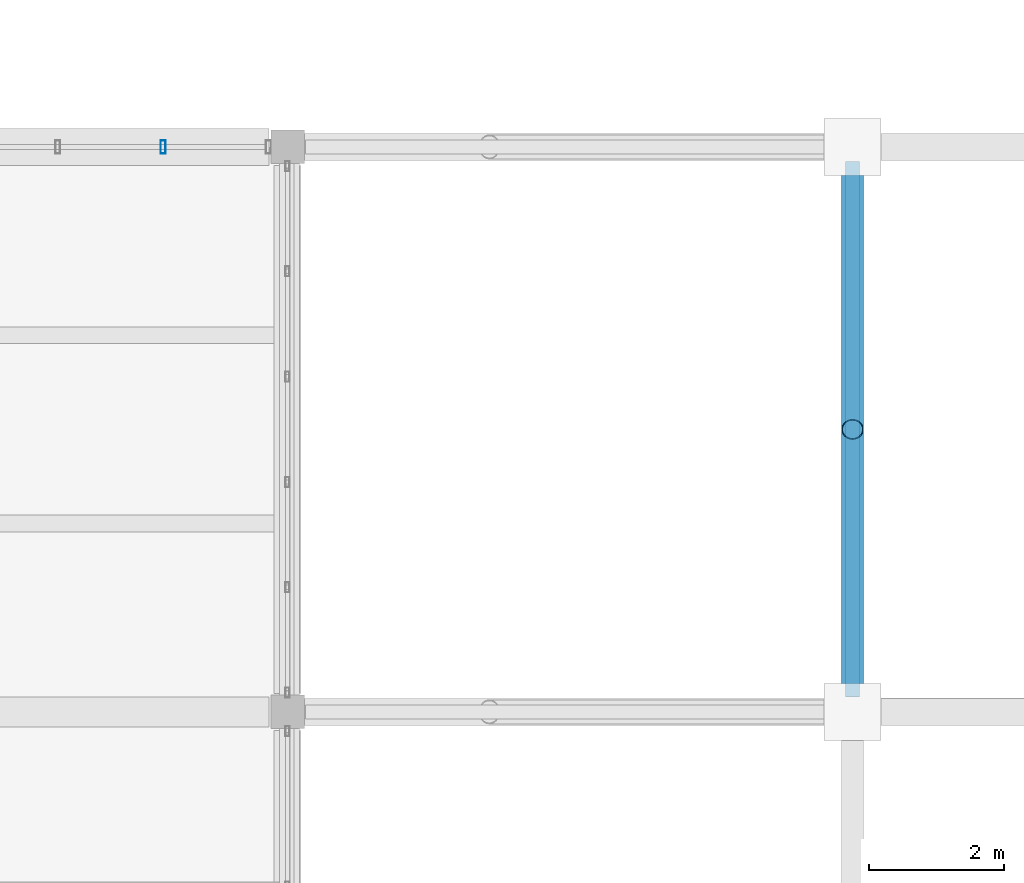
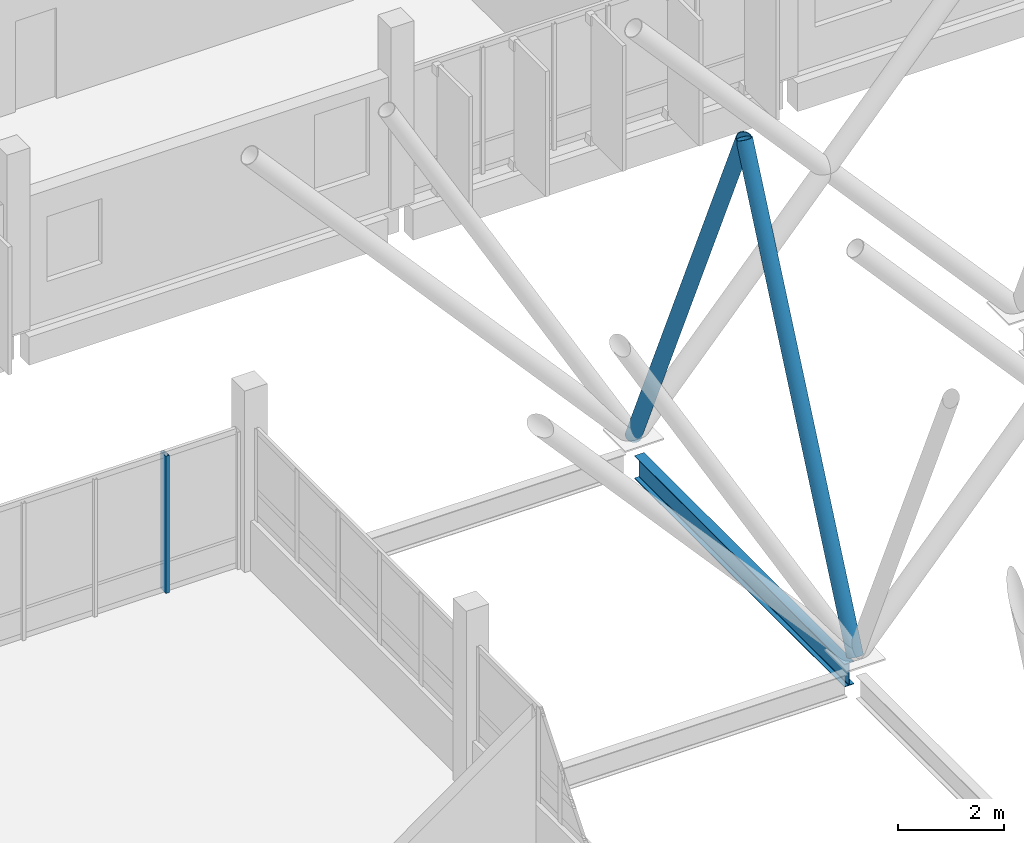
# One storey, part 43 of 107: 3 members, 1 beam, 1 element without a shape of its own.
"""IFC4 building model written with IfcOpenShell, lengths in metres."""

from ifc_helpers import new_model, si_unit, direction, frame, origin, origin_2d, place, context, subcontext, project, spatial, hollow_rectangle, hollow_circle, i_section, extrude, material, layer, layer_set, material_profile, profile_set, type_object, element, aggregate, save


model = new_model("IFC4")

# Units and contexts
model_context = context("Model", 3, precision=1e-05, world=origin(), true_north=direction((0.0, 1.0)))
body_context = subcontext(model_context, "Body", "Model", "MODEL_VIEW")
ifc_project = project(units=[si_unit("LENGTHUNIT", "METRE"), si_unit("AREAUNIT", "SQUARE_METRE"), si_unit("VOLUMEUNIT", "CUBIC_METRE"), si_unit("PLANEANGLEUNIT", "RADIAN"), si_unit("MASSUNIT", "GRAM", prefix="KILO")], contexts=[model_context])

# Site, building, storey
site_placement = place(None, origin())
site = spatial("IfcSite", under=ifc_project, at=site_placement, CompositionType="ELEMENT")
building_placement = place(site_placement, origin())
building = spatial("IfcBuilding", under=site, at=building_placement, Name="Vireocrest Preparatory School", CompositionType="ELEMENT")
storey_placement = place(building_placement, frame((0.0, 0.0, 13.199951171875)))
storey = spatial("IfcBuildingStorey", under=building, at=storey_placement, Name="L03", CompositionType="ELEMENT", Elevation=13.199951171875)

# Curtain wall, member
ifc_material_1 = material(Name="Thermally broken aluminium EN AW-6063-T6", Category="aluminium")
ifc_layer = layer(ifc_material_1, 0.179931640625)
ifc_layer_set = layer_set([ifc_layer], Name="Thermally broken aluminium EN AW-6063-T6")
curtain_wall_type = type_object("IfcCurtainWallType", Name="Library Reading Bay Glazing 7600x4200", PredefinedType="USERDEFINED", material=ifc_layer_set)
curtain_wall_placement = place(storey_placement, origin())
curtain_wall = element("IfcCurtainWall", 1, at=curtain_wall_placement, inside=storey, type_object=curtain_wall_type, Name="Curtain Wall CW16 CW_L03_CW16_0590_0858_132", ObjectType="CURTAIN WALL", PredefinedType="USERDEFINED")
ifc_material_profile_1 = material_profile(ifc_material_1, hollow_rectangle(XDim=0.074951171875, YDim=0.199951171875, WallThickness=0.0048828125, at=origin_2d()), Name="ALU 75x200x5")
ifc_profile_set_1 = profile_set([ifc_material_profile_1], Name="Thermally broken aluminium EN AW-6063-T6")
member_type_1 = type_object("IfcMemberType", Name="CW Mullion 75x200x5", PredefinedType="MULLION", material=ifc_profile_set_1)
member_1_placement = place(storey_placement, frame((65.34912109375, 85.800048828125, 0.0), z_axis=(0.0, 0.0, 1.0), x_axis=(1.0, 0.0, 0.0)))
member_1 = element("IfcMember", 2, at=member_1_placement, type_object=member_type_1, Name="CW Mullion ML3 CW_L03_CW16_0590_0858_132-5", PredefinedType="MULLION", context=body_context, shape_type="SweptSolid", body=[
    extrude(hollow_rectangle(XDim=0.074951171875, YDim=0.199951171875, WallThickness=0.0048828125, at=origin_2d()), origin(), (0.0, 0.0, 1.0), 3.175048828125),
])
aggregate(curtain_wall, [member_1])

# Beam
ifc_material_2 = material(Name="Structural steel ASTM A992 Grade 50", Category="steel")
ifc_material_profile_2 = material_profile(ifc_material_2, i_section(OverallWidth=0.208984375, OverallDepth=0.532958984375, WebThickness=0.01025390625, FlangeThickness=0.015625, FilletRadius=0.014892578125, at=origin_2d()), Name="W21X62")
ifc_profile_set_2 = profile_set([ifc_material_profile_2], Name="Structural steel ASTM A992 Grade 50")
beam_type = type_object("IfcBeamType", Name="Court Tie Girder W21X62", PredefinedType="BEAM", material=ifc_profile_set_2)
beam_placement = place(storey_placement, frame((75.60009765625, 77.6201171875, -0.56640625), z_axis=(0.0, 1.0, 0.0), x_axis=(-1.0, 0.0, 0.0)))
element("IfcBeam", 3, at=beam_placement, inside=storey, type_object=beam_type, Name="Court Trunk Spine Girder SB5 W7 L03", PredefinedType="BEAM", context=body_context, shape_type="SweptSolid", body=[
    extrude(i_section(OverallWidth=0.208984375, OverallDepth=0.532958984375, WebThickness=0.01025390625, FlangeThickness=0.015625, FilletRadius=0.014892578125, at=origin_2d()), origin(), (0.0, 0.0, 1.0), 7.9599609375),
])

# Members
ifc_material_3 = material(Name="Painted white steel ASTM A500 Grade C", Category="steel")
ifc_material_profile_3 = material_profile(ifc_material_3, hollow_circle(Radius=0.161865234375, WallThickness=0.0126953125, at=origin_2d()), Name="HSS12.750X0.500")
ifc_profile_set_3 = profile_set([ifc_material_profile_3], Name="Painted white steel ASTM A500 Grade C")
member_type_2 = type_object("IfcMemberType", Name="White Steel Canopy Tie Strut HSS12.750X0.500", PredefinedType="USERDEFINED", material=ifc_profile_set_3)
member_2_placement = place(storey_placement, frame((75.60009765625, 77.39990234375, -0.0048828125), z_axis=(0.0, 0.40723631313, 0.913322826425), x_axis=(-1.0, 0.0, 0.0)))
element("IfcMember", 4, at=member_2_placement, inside=storey, type_object=member_type_2, Name="Longitudinal V-Strut VS2 W7-N", ObjectType="STRUT", PredefinedType="USERDEFINED", context=body_context, shape_type="SweptSolid", body=[
    extrude(hollow_circle(Radius=0.161865234375, WallThickness=0.0126953125, at=origin_2d()), origin(), (0.0, 0.0, 1.0), 10.31396484375),
])
member_3_placement = place(storey_placement, frame((75.60009765625, 85.800048828125, -0.0048828125), z_axis=(0.0, -0.407216567456, 0.913331630455), x_axis=(1.0, 0.0, 0.0)))
element("IfcMember", 5, at=member_3_placement, inside=storey, type_object=member_type_2, Name="Longitudinal V-Strut VS2 W8-S", ObjectType="STRUT", PredefinedType="USERDEFINED", context=body_context, shape_type="SweptSolid", body=[
    extrude(hollow_circle(Radius=0.161865234375, WallThickness=0.0126953125, at=origin_2d()), origin(), (0.0, 0.0, 1.0), 10.313720703125),
])

save(model, "model.ifc")
